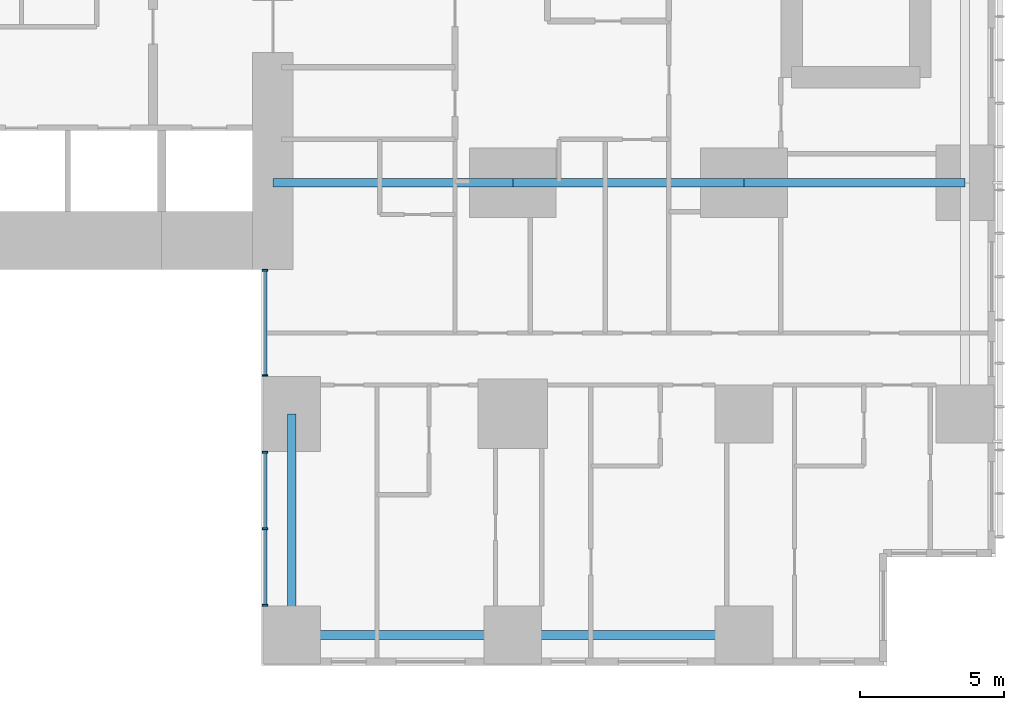
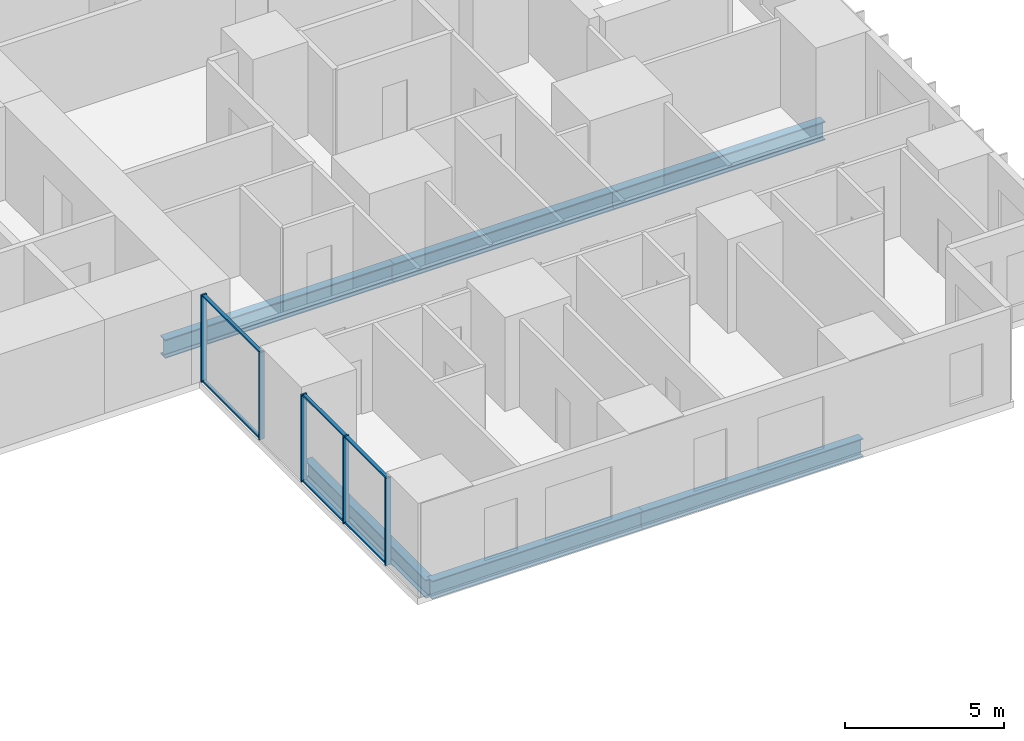
# One storey, part 3 of 20: 11 members, 6 beams, 2 elements without a shape of their own.
"""IFC4 building model written with IfcOpenShell, lengths in metres."""

from ifc_helpers import new_model, si_unit, direction, frame, origin, origin_2d, place, context, subcontext, project, spatial, rectangle, i_section, extrude, material, layer, layer_set, material_profile, profile_set, type_object, element, aggregate, save


model = new_model("IFC4")

# Units and contexts
model_context = context("Model", 3, precision=1e-05, world=origin(), true_north=direction((0.0, 1.0)))
body_context = subcontext(model_context, "Body", "Model", "MODEL_VIEW")
ifc_project = project(units=[si_unit("LENGTHUNIT", "METRE"), si_unit("AREAUNIT", "SQUARE_METRE"), si_unit("VOLUMEUNIT", "CUBIC_METRE"), si_unit("PLANEANGLEUNIT", "RADIAN"), si_unit("MASSUNIT", "GRAM", prefix="KILO")], contexts=[model_context])

# Site, building, storey
site_placement = place(None, origin())
site = spatial("IfcSite", under=ifc_project, at=site_placement, CompositionType="ELEMENT")
building_placement = place(site_placement, origin())
building = spatial("IfcBuilding", under=site, at=building_placement, Name="Cleftline Residences", CompositionType="ELEMENT")
storey_placement = place(building_placement, frame((0.0, 0.0, 54.800048828125)))
storey = spatial("IfcBuildingStorey", under=building, at=storey_placement, Name="L13", CompositionType="ELEMENT", Elevation=54.800048828125)

# Beams
ifc_material_1 = material(Name="Steel S355", Category="steel")
ifc_material_profile_1 = material_profile(ifc_material_1, i_section(OverallWidth=0.300048828125, OverallDepth=0.699951171875, WebThickness=0.01708984375, FlangeThickness=0.031982421875, FilletRadius=0.027099609375, at=origin_2d()))
ifc_profile_set_1 = profile_set([ifc_material_profile_1], Name="Steel S355")
beam_type_1 = type_object("IfcBeamType", Name="BEAM HEB 700", PredefinedType="BEAM", material=ifc_profile_set_1)
beam_1_placement = place(storey_placement, frame((58.0, 0.35009765625, -0.60009765625), z_axis=(-1.0, 0.0, 0.0), x_axis=(0.0, -1.0, 0.0)))
element("IfcBeam", 1, at=beam_1_placement, inside=storey, type_object=beam_type_1, Name="Edge beam", PredefinedType="BEAM", context=body_context, shape_type="SweptSolid", body=[
    extrude(i_section(OverallWidth=0.300048828125, OverallDepth=0.699951171875, WebThickness=0.01708984375, FlangeThickness=0.031982421875, FilletRadius=0.027099609375, at=origin_2d()), origin(), (0.0, 0.0, 1.0), 8.0),
])
for number, where, z_axis, x_axis, name in (
    (2, (50.0, 0.35009765625, -0.60009765625), (-1.0, 0.0, 0.0), (0.0, -1.0, 0.0), "Edge beam"),
    (3, (42.35009765625, 0.35009765625, -0.60009765625), (0.0, 1.0, 0.0), (-1.0, 0.0, 0.0), "Edge beam"),
):
    element("IfcBeam", number, at=place(storey_placement, frame(where, z_axis=z_axis, x_axis=x_axis)), inside=storey, type_object=beam_type_1, Name=name, PredefinedType="BEAM", context=body_context, shape_type="SweptSolid", body=[
        extrude(i_section(OverallWidth=0.300048828125, OverallDepth=0.699951171875, WebThickness=0.01708984375, FlangeThickness=0.031982421875, FilletRadius=0.027099609375, at=origin_2d()), origin(), (0.0, 0.0, 1.0), 7.64990234375),
    ])
ifc_material_2 = material(Name="Steel S355", Category="steel")
ifc_material_profile_2 = material_profile(ifc_material_2, i_section(OverallWidth=0.303955078125, OverallDepth=0.716064453125, WebThickness=0.02099609375, FlangeThickness=0.0400390625, FilletRadius=0.027099609375, at=origin_2d()))
ifc_profile_set_2 = profile_set([ifc_material_profile_2], Name="Steel S355")
beam_type_2 = type_object("IfcBeamType", Name="BEAM HEM 700", PredefinedType="BEAM", material=ifc_profile_set_2)
beam_2_placement = place(storey_placement, frame((65.64990234375, 16.0, -0.608154296875), z_axis=(-1.0, 0.0, 0.0), x_axis=(0.0, -1.0, 0.0)))
element("IfcBeam", 4, at=beam_2_placement, inside=storey, type_object=beam_type_2, Name="Band beam", PredefinedType="BEAM", context=body_context, shape_type="SweptSolid", body=[
    extrude(i_section(OverallWidth=0.303955078125, OverallDepth=0.716064453125, WebThickness=0.02099609375, FlangeThickness=0.0400390625, FilletRadius=0.027099609375, at=origin_2d()), origin(), (0.0, 0.0, 1.0), 7.64990234375),
])
beam_3_placement = place(storey_placement, frame((58.0, 16.0, -0.608154296875), z_axis=(-1.0, 0.0, 0.0), x_axis=(0.0, -1.0, 0.0)))
element("IfcBeam", 5, at=beam_3_placement, inside=storey, type_object=beam_type_2, Name="Band beam", PredefinedType="BEAM", context=body_context, shape_type="SweptSolid", body=[
    extrude(i_section(OverallWidth=0.303955078125, OverallDepth=0.716064453125, WebThickness=0.02099609375, FlangeThickness=0.0400390625, FilletRadius=0.027099609375, at=origin_2d()), origin(), (0.0, 0.0, 1.0), 8.0),
])
beam_4_placement = place(storey_placement, frame((50.0, 16.0, -0.608154296875), z_axis=(-1.0, 0.0, 0.0), x_axis=(0.0, -1.0, 0.0)))
element("IfcBeam", 6, at=beam_4_placement, inside=storey, type_object=beam_type_2, Name="Band beam", PredefinedType="BEAM", context=body_context, shape_type="SweptSolid", body=[
    extrude(i_section(OverallWidth=0.303955078125, OverallDepth=0.716064453125, WebThickness=0.02099609375, FlangeThickness=0.0400390625, FilletRadius=0.027099609375, at=origin_2d()), origin(), (0.0, 0.0, 1.0), 8.300048828125),
])

# Curtain wall, members
ifc_material_3 = material(Name="Aluminium framed curtain wall", Category="aluminium")
ifc_layer = layer(ifc_material_3, 0.199951171875)
ifc_layer_set = layer_set([ifc_layer], Name="CW1 CLEFT GLAZING")
curtain_wall_type = type_object("IfcCurtainWallType", Name="CW1 CLEFT GLAZING", PredefinedType="NOTDEFINED", material=ifc_layer_set)
curtain_wall_1_placement = place(storey_placement, origin())
curtain_wall_1 = element("IfcCurtainWall", 7, at=curtain_wall_1_placement, inside=storey, type_object=curtain_wall_type, Name="Curtain wall CW1", PredefinedType="NOTDEFINED")
ifc_material_4 = material(Name="Aluminium mullion", Category="aluminium")
ifc_material_profile_3 = material_profile(ifc_material_4, rectangle(XDim=0.199951171875, YDim=0.06005859375, at=origin_2d()))
ifc_profile_set_3 = profile_set([ifc_material_profile_3], Name="Aluminium mullion")
member_type_1 = type_object("IfcMemberType", Name="CW1 MULLION", PredefinedType="MULLION", material=ifc_profile_set_3)
member_1_placement = place(storey_placement, frame((41.425048828125, 12.969970703125, 0.0), z_axis=(0.0, 0.0, 1.0), x_axis=(1.0, 0.0, 0.0)))
member_1 = element("IfcMember", 8, at=member_1_placement, type_object=member_type_1, Name="CW1 mullion 1", PredefinedType="MULLION", context=body_context, shape_type="SweptSolid", body=[
    extrude(rectangle(XDim=0.199951171875, YDim=0.06005859375, at=origin_2d()), origin(), (0.0, 0.0, 1.0), 3.349853515625),
])
member_2_placement = place(storey_placement, frame((41.425048828125, 9.330078125, 0.0), z_axis=(0.0, 0.0, 1.0), x_axis=(1.0, 0.0, 0.0)))
member_2 = element("IfcMember", 9, at=member_2_placement, type_object=member_type_1, Name="CW1 mullion 2", PredefinedType="MULLION", context=body_context, shape_type="SweptSolid", body=[
    extrude(rectangle(XDim=0.199951171875, YDim=0.06005859375, at=origin_2d()), origin(), (0.0, 0.0, 1.0), 3.349853515625),
])

curtain_wall_2_placement = place(storey_placement, origin())
curtain_wall_2 = element("IfcCurtainWall", 10, at=curtain_wall_2_placement, inside=storey, type_object=curtain_wall_type, Name="Curtain wall CW1", PredefinedType="NOTDEFINED")
member_3_placement = place(storey_placement, frame((41.425048828125, 6.669921875, 0.0), z_axis=(0.0, 0.0, 1.0), x_axis=(1.0, 0.0, 0.0)))
member_3 = element("IfcMember", 11, at=member_3_placement, type_object=member_type_1, Name="CW1 mullion 1", PredefinedType="MULLION", context=body_context, shape_type="SweptSolid", body=[
    extrude(rectangle(XDim=0.199951171875, YDim=0.06005859375, at=origin_2d()), origin(), (0.0, 0.0, 1.0), 3.349853515625),
])
member_4_placement = place(storey_placement, frame((41.425048828125, 4.02490234375, 0.0), z_axis=(0.0, 0.0, 1.0), x_axis=(1.0, 0.0, 0.0)))
member_4 = element("IfcMember", 12, at=member_4_placement, type_object=member_type_1, Name="CW1 mullion 2", PredefinedType="MULLION", context=body_context, shape_type="SweptSolid", body=[
    extrude(rectangle(XDim=0.199951171875, YDim=0.06005859375, at=origin_2d()), origin(), (0.0, 0.0, 1.0), 3.349853515625),
])
member_5_placement = place(storey_placement, frame((41.425048828125, 1.3798828125, 0.0), z_axis=(0.0, 0.0, 1.0), x_axis=(1.0, 0.0, 0.0)))
member_5 = element("IfcMember", 13, at=member_5_placement, type_object=member_type_1, Name="CW1 mullion 3", PredefinedType="MULLION", context=body_context, shape_type="SweptSolid", body=[
    extrude(rectangle(XDim=0.199951171875, YDim=0.06005859375, at=origin_2d()), origin(), (0.0, 0.0, 1.0), 3.349853515625),
])

# Member
ifc_material_5 = material(Name="Aluminium transom", Category="aluminium")
ifc_material_profile_4 = material_profile(ifc_material_5, rectangle(XDim=0.1201171875, YDim=0.06005859375, at=origin_2d()))
ifc_profile_set_4 = profile_set([ifc_material_profile_4], Name="Aluminium transom")
member_type_2 = type_object("IfcMemberType", Name="CW1 TRANSOM", PredefinedType="USERDEFINED", material=ifc_profile_set_4)
member_6_placement = place(storey_placement, frame((41.425048828125, 12.93994140625, 0.030029296875), z_axis=(0.0, -1.0, 0.0), x_axis=(1.0, 0.0, 0.0)))
member_6 = element("IfcMember", 14, at=member_6_placement, type_object=member_type_2, Name="CW1 transom 1.1", ObjectType="TRANSOM", PredefinedType="USERDEFINED", context=body_context, shape_type="SweptSolid", body=[
    extrude(rectangle(XDim=0.1201171875, YDim=0.06005859375, at=origin_2d()), origin(), (0.0, 0.0, 1.0), 3.579833984375),
])

member_7_placement = place(storey_placement, frame((41.425048828125, 12.93994140625, 3.320068359375), z_axis=(0.0, -1.0, 0.0), x_axis=(1.0, 0.0, 0.0)))
member_7 = element("IfcMember", 15, at=member_7_placement, type_object=member_type_2, Name="CW1 transom 1.2", ObjectType="TRANSOM", PredefinedType="USERDEFINED", context=body_context, shape_type="SweptSolid", body=[
    extrude(rectangle(XDim=0.1201171875, YDim=0.06005859375, at=origin_2d()), origin(), (0.0, 0.0, 1.0), 3.579833984375),
])

aggregate(curtain_wall_1, [member_1, member_2, member_6, member_7])

member_8_placement = place(storey_placement, frame((41.425048828125, 6.639892578125, 0.030029296875), z_axis=(0.0, -1.0, 0.0), x_axis=(1.0, 0.0, 0.0)))
member_8 = element("IfcMember", 16, at=member_8_placement, type_object=member_type_2, Name="CW1 transom 1.1", ObjectType="TRANSOM", PredefinedType="USERDEFINED", context=body_context, shape_type="SweptSolid", body=[
    extrude(rectangle(XDim=0.1201171875, YDim=0.06005859375, at=origin_2d()), origin(), (0.0, 0.0, 1.0), 2.5849609375),
])

member_9_placement = place(storey_placement, frame((41.425048828125, 6.639892578125, 3.320068359375), z_axis=(0.0, -1.0, 0.0), x_axis=(1.0, 0.0, 0.0)))
member_9 = element("IfcMember", 17, at=member_9_placement, type_object=member_type_2, Name="CW1 transom 1.2", ObjectType="TRANSOM", PredefinedType="USERDEFINED", context=body_context, shape_type="SweptSolid", body=[
    extrude(rectangle(XDim=0.1201171875, YDim=0.06005859375, at=origin_2d()), origin(), (0.0, 0.0, 1.0), 2.5849609375),
])

member_10_placement = place(storey_placement, frame((41.425048828125, 3.9951171875, 0.030029296875), z_axis=(0.0, -1.0, 0.0), x_axis=(1.0, 0.0, 0.0)))
member_10 = element("IfcMember", 18, at=member_10_placement, type_object=member_type_2, Name="CW1 transom 2.1", ObjectType="TRANSOM", PredefinedType="USERDEFINED", context=body_context, shape_type="SweptSolid", body=[
    extrude(rectangle(XDim=0.1201171875, YDim=0.06005859375, at=origin_2d()), origin(), (0.0, 0.0, 1.0), 2.585205078125),
])

member_11_placement = place(storey_placement, frame((41.425048828125, 3.9951171875, 3.320068359375), z_axis=(0.0, -1.0, 0.0), x_axis=(1.0, 0.0, 0.0)))
member_11 = element("IfcMember", 19, at=member_11_placement, type_object=member_type_2, Name="CW1 transom 2.2", ObjectType="TRANSOM", PredefinedType="USERDEFINED", context=body_context, shape_type="SweptSolid", body=[
    extrude(rectangle(XDim=0.1201171875, YDim=0.06005859375, at=origin_2d()), origin(), (0.0, 0.0, 1.0), 2.585205078125),
])

aggregate(curtain_wall_2, [member_3, member_4, member_5, member_8, member_9, member_10, member_11])

save(model, "model.ifc")
